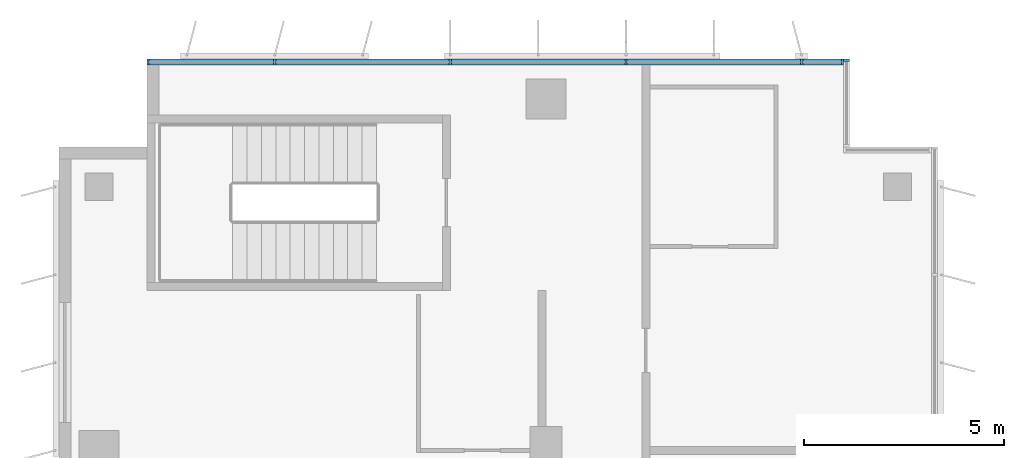
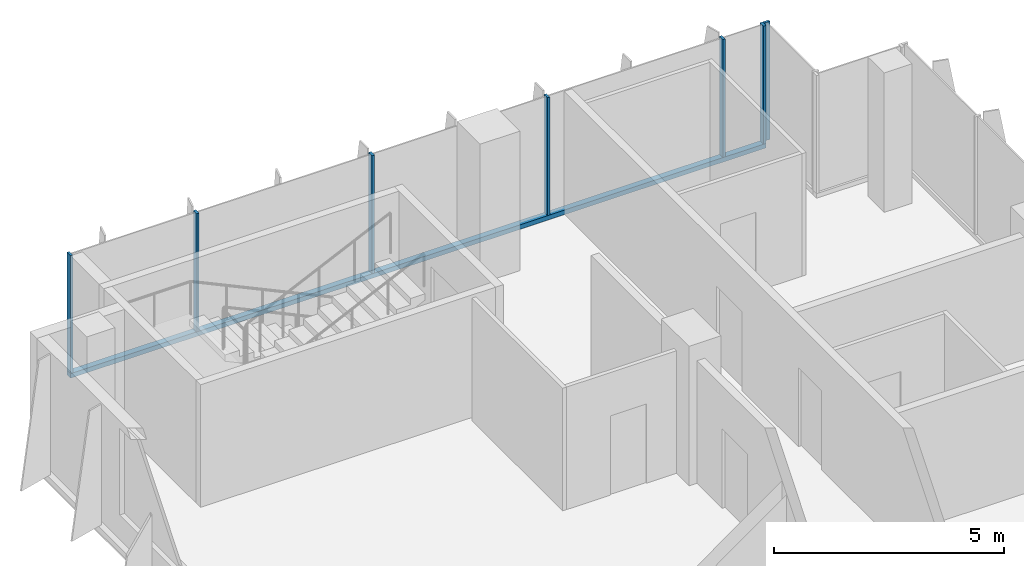
# One storey, part 9 of 20: 8 members, 2 elements without a shape of their own.
"""IFC4 building model written with IfcOpenShell, lengths in metres."""

from ifc_helpers import new_model, si_unit, direction, frame, origin, origin_2d, place, context, subcontext, project, spatial, rectangle, extrude, source, transform, mapped, material, material_profile, profile_set, type_object, element, aggregate, save


model = new_model("IFC4")

# Units and contexts
model_context = context("Model", 3, precision=1e-05, world=origin(), true_north=direction((0.0, 1.0)))
body_context = subcontext(model_context, "Body", "Model", "MODEL_VIEW")
ifc_project = project(units=[si_unit("LENGTHUNIT", "METRE"), si_unit("AREAUNIT", "SQUARE_METRE"), si_unit("VOLUMEUNIT", "CUBIC_METRE"), si_unit("PLANEANGLEUNIT", "RADIAN"), si_unit("MASSUNIT", "GRAM", prefix="KILO")], contexts=[model_context])

# Site, building, storey
site_placement = place(None, origin())
site = spatial("IfcSite", under=ifc_project, at=site_placement, CompositionType="ELEMENT")
building_placement = place(site_placement, origin())
building = spatial("IfcBuilding", under=site, at=building_placement, Name="Kemantara Hotel Tower", CompositionType="ELEMENT")
storey_placement = place(building_placement, frame((0.0, 0.0, 190.10009765625)))
storey = spatial("IfcBuildingStorey", under=building, at=storey_placement, Name="L47", CompositionType="ELEMENT", Elevation=190.10009765625)

# Curtain wall, members
ifc_material_1 = material(Name="Low-E tinted double insulated glass 36 mm", Category="glass")
curtain_wall_type = type_object("IfcCurtainWallType", Name="TOWER CURTAIN WALL, FRONT FACES", PredefinedType="USERDEFINED", material=ifc_material_1)
curtain_wall_1_placement = place(storey_placement, origin())
curtain_wall_1 = element("IfcCurtainWall", 1, at=curtain_wall_1_placement, inside=storey, type_object=curtain_wall_type, Name="CW4 L47 T3-R02-1", ObjectType="TOWER CURTAIN WALL, FRONT FACES", PredefinedType="USERDEFINED")
ifc_material_2 = material(Name="Aluminium 6063-T6 bronze anodised", Category="aluminium")
ifc_material_profile_1 = material_profile(ifc_material_2, rectangle(XDim=0.14990234375, YDim=0.1201171875, at=origin_2d()), Name="TOWER CURTAIN WALL, FRONT FACES TRANSOM")
ifc_profile_set_1 = profile_set([ifc_material_profile_1], Name="Aluminium 6063-T6 bronze anodised")
member_type_1 = type_object("IfcMemberType", Name="TOWER CURTAIN WALL, FRONT FACES TRANSOM", PredefinedType="USERDEFINED", material=ifc_profile_set_1)
member_1_placement = place(storey_placement, frame((19.64990234375, 63.52490234375, 0.059814453125), z_axis=(-1.0, 0.0, 0.0), x_axis=(0.0, -1.0, 0.0)))
member_1 = element("IfcMember", 2, at=member_1_placement, type_object=member_type_1, Name="CW4 sill transom T3-R02-1", ObjectType="TRANSOM", PredefinedType="USERDEFINED", context=body_context, shape_type="SweptSolid", body=[
    extrude(rectangle(XDim=0.14990234375, YDim=0.1201171875, at=origin_2d()), origin(), (0.0, 0.0, 1.0), 17.449951171875),
])
ifc_material_profile_2 = material_profile(ifc_material_2, rectangle(XDim=0.14990234375, YDim=0.06005859375, at=origin_2d()), Name="TOWER CURTAIN WALL, FRONT FACES MULLION")
ifc_profile_set_2 = profile_set([ifc_material_profile_2], Name="Aluminium 6063-T6 bronze anodised")
member_type_2 = type_object("IfcMemberType", Name="TOWER CURTAIN WALL, FRONT FACES MULLION", PredefinedType="MULLION", material=ifc_profile_set_2)
shared_shape = source(origin(), body_context, "Body", "SweptSolid", [
    extrude(rectangle(XDim=0.14990234375, YDim=0.06005859375, at=origin_2d()), origin(), (0.0, 0.0, 1.0), 3.130126953125),
])
member_2_placement = place(storey_placement, frame((19.6201171875, 63.52490234375, 0.119873046875), z_axis=(0.0, 0.0, 1.0), x_axis=(0.0, -1.0, 0.0)))
member_2 = element("IfcMember", 3, at=member_2_placement, type_object=member_type_2, Name="CW4 mullion T3-R02-1.1", PredefinedType="MULLION", context=body_context, shape_type="MappedRepresentation", body=[
    mapped(shared_shape, transform((0.0, 0.0, 0.0))),
])
member_3_placement = place(storey_placement, frame((18.60009765625, 63.52490234375, 0.119873046875), z_axis=(0.0, 0.0, 1.0), x_axis=(0.0, -1.0, 0.0)))
member_3 = element("IfcMember", 4, at=member_3_placement, type_object=member_type_2, Name="CW4 mullion T3-R02-1.2", PredefinedType="MULLION", context=body_context, shape_type="MappedRepresentation", body=[
    mapped(shared_shape, transform((0.0, 0.0, 0.0))),
])
member_4_placement = place(storey_placement, frame((14.199951171875, 63.52490234375, 0.119873046875), z_axis=(0.0, 0.0, 1.0), x_axis=(0.0, -1.0, 0.0)))
member_4 = element("IfcMember", 5, at=member_4_placement, type_object=member_type_2, Name="CW4 mullion T3-R02-1.3", PredefinedType="MULLION", context=body_context, shape_type="MappedRepresentation", body=[
    mapped(shared_shape, transform((0.0, 0.0, 0.0))),
])
member_5_placement = place(storey_placement, frame((9.800048828125, 63.52490234375, 0.119873046875), z_axis=(0.0, 0.0, 1.0), x_axis=(0.0, -1.0, 0.0)))
member_5 = element("IfcMember", 6, at=member_5_placement, type_object=member_type_2, Name="CW4 mullion T3-R02-1.4", PredefinedType="MULLION", context=body_context, shape_type="MappedRepresentation", body=[
    mapped(shared_shape, transform((0.0, 0.0, 0.0))),
])
member_6_placement = place(storey_placement, frame((5.39990234375, 63.52490234375, 0.119873046875), z_axis=(0.0, 0.0, 1.0), x_axis=(0.0, -1.0, 0.0)))
member_6 = element("IfcMember", 7, at=member_6_placement, type_object=member_type_2, Name="CW4 mullion T3-R02-1.5", PredefinedType="MULLION", context=body_context, shape_type="MappedRepresentation", body=[
    mapped(shared_shape, transform((0.0, 0.0, 0.0))),
])
member_7_placement = place(storey_placement, frame((2.22998046875, 63.52490234375, 0.119873046875), z_axis=(0.0, 0.0, 1.0), x_axis=(0.0, -1.0, 0.0)))
member_7 = element("IfcMember", 8, at=member_7_placement, type_object=member_type_2, Name="CW4 mullion T3-R02-1.6", PredefinedType="MULLION", context=body_context, shape_type="MappedRepresentation", body=[
    mapped(shared_shape, transform((0.0, 0.0, 0.0))),
])
aggregate(curtain_wall_1, [member_1, member_2, member_3, member_4, member_5, member_6, member_7])

# Curtain wall, member
curtain_wall_2_placement = place(storey_placement, origin())
curtain_wall_2 = element("IfcCurtainWall", 9, at=curtain_wall_2_placement, inside=storey, type_object=curtain_wall_type, Name="CW4 L47 T3-R01-1", ObjectType="TOWER CURTAIN WALL, FRONT FACES", PredefinedType="USERDEFINED")
member_8_placement = place(storey_placement, frame((19.72509765625, 63.570068359375, 0.119873046875), z_axis=(0.0, 0.0, 1.0), x_axis=(-1.0, 0.0, 0.0)))
member_8 = element("IfcMember", 10, at=member_8_placement, type_object=member_type_2, Name="CW4 mullion T3-R01-1.2", PredefinedType="MULLION", context=body_context, shape_type="MappedRepresentation", body=[
    mapped(shared_shape, transform((0.0, 0.0, 0.0))),
])
aggregate(curtain_wall_2, [member_8])

save(model, "model.ifc")
